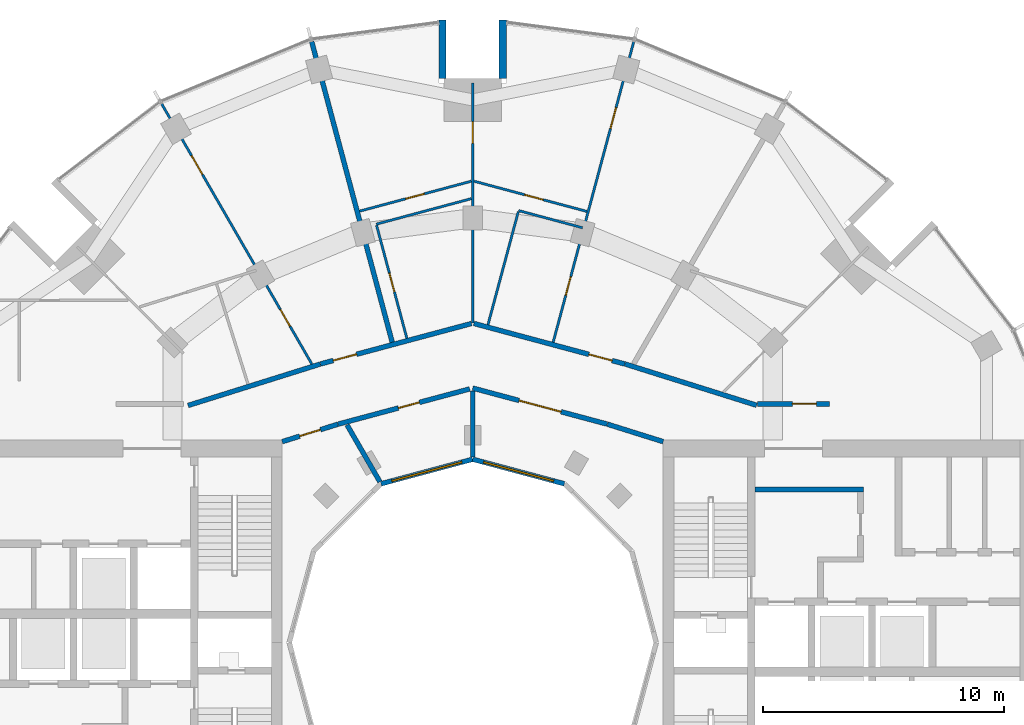
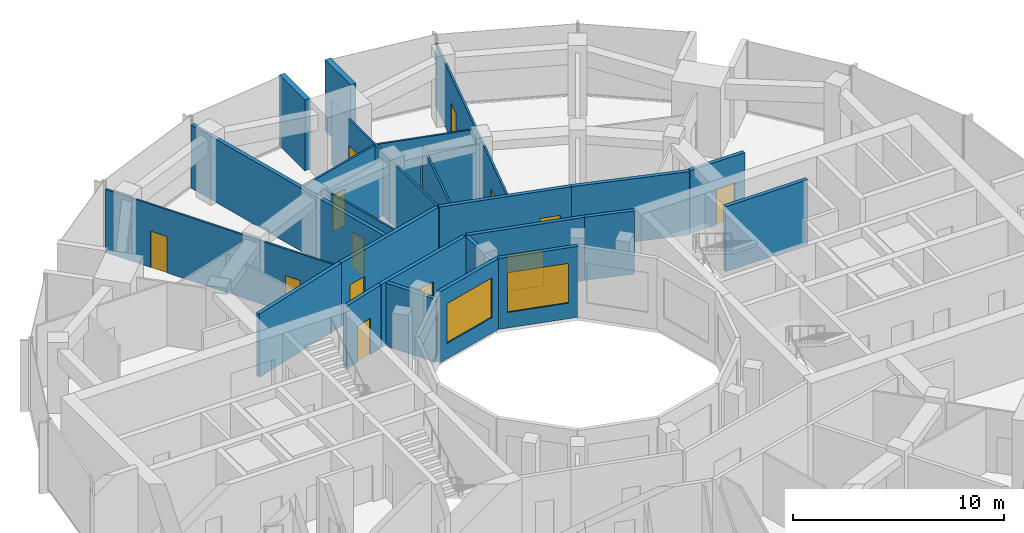
# One storey, part 12 of 15: 26 walls, 14 doors, 2 windows, 16 openings.
"""IFC4 building model written with IfcOpenShell, lengths in metres."""

import ifcopenshell
import ifcopenshell.guid

model = None  # the IFC model being written
_history = None  # IfcOwnerHistory: only IFC2X3 demands one
_inside = {}  # id of a spatial element -> (the spatial element, [elements in it])
_under = {}  # id of a project, library or spatial element -> (it, [spatial elements below it])
_declared = {}  # id of a project -> (the project, [libraries it declares])
_typed = {}  # id of a type object -> (the type object, [elements of that type])
_made_of = {}  # id of a material, layer set ... -> (it, [elements and type objects made of it])


def new_model(schema):
    """Start an empty IFC model of exactly this schema.

    Asked for "IFC4X3", IfcOpenShell would pick the latest addendum, in which some entities
    have other attributes; the version numbers below select the first issue.
    IFC2X3 requires an IfcOwnerHistory on every rooted entity: one is made here for all.
    """
    global model, _history
    if schema == "IFC4X3":
        model = ifcopenshell.file(schema_version=(4, 3, 0, 0))
    else:
        model = ifcopenshell.file(schema=schema)
    _inside.clear()
    _under.clear()
    _declared.clear()
    _typed.clear()
    _made_of.clear()
    _history = None
    if model.schema == "IFC2X3":
        org = make("IfcOrganization", Name="unknown")
        user = make(
            "IfcPersonAndOrganization",
            ThePerson=make("IfcPerson", FamilyName="unknown"),
            TheOrganization=org,
        )
        app = make(
            "IfcApplication",
            ApplicationDeveloper=org,
            Version="unknown",
            ApplicationFullName="unknown",
            ApplicationIdentifier="unknown",
        )
        _history = make(
            "IfcOwnerHistory",
            OwningUser=user,
            OwningApplication=app,
            ChangeAction="ADDED",
            CreationDate=0,
        )
    return model


def make(cls, **values):
    """One entity of the class cls with the attributes given. An attribute that is None is left unset."""
    return model.create_entity(
        cls, **{name: value for name, value in values.items() if value is not None}
    )


def rooted(cls, **values):
    """An entity with a GlobalId (a new one), such as an element, a storey or a relation."""
    return make(cls, GlobalId=ifcopenshell.guid.new(), OwnerHistory=_history, **values)


def si_unit(unit_type, name, prefix=None):
    """IfcSIUnit, for example si_unit("LENGTHUNIT", "METRE", prefix="MILLI")."""
    return make("IfcSIUnit", UnitType=unit_type, Prefix=prefix, Name=name)


def assignment(units):
    """IfcUnitAssignment: the units of a project."""
    return None if units is None else make("IfcUnitAssignment", Units=units)


def point(xyz):
    """IfcCartesianPoint."""
    return None if xyz is None else make("IfcCartesianPoint", Coordinates=xyz)


def direction(xyz):
    """IfcDirection."""
    return None if xyz is None else make("IfcDirection", DirectionRatios=xyz)


def frame(location, z_axis=None, x_axis=None):
    """IfcAxis2Placement3D, a coordinate frame: its origin and axes. An axis left out is left unset."""
    return make(
        "IfcAxis2Placement3D",
        Location=point(location),
        Axis=direction(z_axis),
        RefDirection=direction(x_axis),
    )


def frame_2d(location, x_axis=None):
    """IfcAxis2Placement2D, a coordinate frame in the plane: its origin and x axis."""
    return make(
        "IfcAxis2Placement2D", Location=point(location), RefDirection=direction(x_axis)
    )


def origin():
    """The frame at (0, 0, 0) with its axes left unset."""
    return frame((0.0, 0.0, 0.0))


def place(relative_to, where):
    """IfcLocalPlacement: puts the frame where relative to a parent placement (None: the world)."""
    return make(
        "IfcLocalPlacement", PlacementRelTo=relative_to, RelativePlacement=where
    )


def context(
    kind, dimensions, precision=None, world=None, true_north=None, identifier=None
):
    """IfcGeometricRepresentationContext, for example the 3D "Model" context."""
    return make(
        "IfcGeometricRepresentationContext",
        ContextIdentifier=identifier,
        ContextType=kind,
        CoordinateSpaceDimension=dimensions,
        Precision=precision,
        WorldCoordinateSystem=world,
        TrueNorth=true_north,
    )


def subcontext(parent, identifier, kind, view, scale=None):
    """IfcGeometricRepresentationSubContext, for example "Body" below "Model"."""
    return make(
        "IfcGeometricRepresentationSubContext",
        ContextIdentifier=identifier,
        ContextType=kind,
        ParentContext=parent,
        TargetScale=scale,
        TargetView=view,
    )


def project(units=None, contexts=None):
    """IfcProject with its units and contexts."""
    return rooted(
        "IfcProject",
        Name="project",
        RepresentationContexts=contexts,
        UnitsInContext=assignment(units),
    )


def spatial(cls, under=None, at=None, **own):
    """A site, building, storey or space (cls), placed at a placement, below another one or the project."""
    s = rooted(cls, ObjectPlacement=at, **own)
    if under is not None:
        _under.setdefault(under.id(), (under, []))[1].append(s)
    return s


def profile(cls, at=None, kind="AREA", **sizes):
    """A parametric profile (cls). Its sizes go by their IFC names, for example OverallWidth=200.0."""
    return make(cls, ProfileType=kind, Position=at, **sizes)


def rectangle(**sizes):
    """IfcRectangleProfileDef."""
    return profile("IfcRectangleProfileDef", **sizes)


def extrude(swept, where, along, depth):
    """IfcExtrudedAreaSolid: the profile swept, set in the frame where, extruded along a direction by depth."""
    return make(
        "IfcExtrudedAreaSolid",
        SweptArea=swept,
        Position=where,
        ExtrudedDirection=direction(along),
        Depth=depth,
    )


def shape(context_of_items, identifier, shape_type, items):
    """IfcShapeRepresentation: the items that make up one representation, for example the "Body"."""
    return make(
        "IfcShapeRepresentation",
        ContextOfItems=context_of_items,
        RepresentationIdentifier=identifier,
        RepresentationType=shape_type,
        Items=items,
    )


def material(Name=None, Category=None):
    """IfcMaterial."""
    return make("IfcMaterial", Name=Name, Category=Category)


def layer(
    of_material, thickness, ventilated=None, Name=None, Category=None, Priority=None
):
    """IfcMaterialLayer: one layer of a wall or slab, of a material (None: an air gap)."""
    return make(
        "IfcMaterialLayer",
        Material=of_material,
        LayerThickness=thickness,
        IsVentilated=ventilated,
        Name=Name,
        Category=Category,
        Priority=Priority,
    )


def layer_set(layers, Name=None):
    """IfcMaterialLayerSet."""
    return make("IfcMaterialLayerSet", MaterialLayers=layers, LayerSetName=Name)


def made_of(thing, what):
    """Note that an element or type object is made of a material, layer set ...; save() writes the relation."""
    if what is not None:
        _made_of.setdefault(what.id(), (what, []))[1].append(thing)
    return thing


def type_object(cls, material=None, **own):
    """A type object (cls), such as IfcWallType, which elements share."""
    return made_of(rooted(cls, **own), material)


def element(
    cls,
    number,
    at=None,
    inside=None,
    cuts=None,
    type_object=None,
    material=None,
    context=None,
    identifier="Body",
    shape_type=None,
    held_by="IfcProductDefinitionShape",
    body=None,
    shapes=None,
    **own,
):
    """One element of the class cls, such as IfcWall. Its Tag is "e" and its number.

    at: its placement. inside: the storey or other place that contains it. cuts: it is an
    opening in that element (IfcRelVoidsElement). A single representation is given by context,
    identifier, shape_type and body (its items); several are given by shapes. held_by: the class
    of the entity that holds the representations. save() writes the other relations.
    """
    e = rooted(cls, Tag="e%d" % number, ObjectPlacement=at, **own)
    if body is not None:
        shapes = [shape(context, identifier, shape_type, body)]
    if shapes is not None:
        e.Representation = make(held_by, Representations=shapes)
    if inside is not None:
        _inside.setdefault(inside.id(), (inside, []))[1].append(e)
    if cuts is not None:
        rooted(
            "IfcRelVoidsElement", RelatingBuildingElement=cuts, RelatedOpeningElement=e
        )
    if type_object is not None:
        _typed.setdefault(type_object.id(), (type_object, []))[1].append(e)
    return made_of(e, material)


def fill(opening, filler):
    """IfcRelFillsElement: the door or window that sits in an opening."""
    return rooted(
        "IfcRelFillsElement",
        RelatingOpeningElement=opening,
        RelatedBuildingElement=filler,
    )


def aggregate(whole, parts):
    """IfcRelAggregates: a whole, such as a stair, and the parts it consists of."""
    return rooted("IfcRelAggregates", RelatingObject=whole, RelatedObjects=parts)


def save(model, path):
    """Write the relations noted so far, then the file.

    IfcRelAggregates (storeys below a building ...), IfcRelContainedInSpatialStructure (elements
    in a storey), IfcRelDefinesByType, IfcRelAssociatesMaterial and IfcRelDeclares: one each for
    every whole, place, type object, material and project.
    """
    for whole, parts in _under.values():
        aggregate(whole, parts)
    for where, things in _inside.values():
        rooted(
            "IfcRelContainedInSpatialStructure",
            RelatedElements=things,
            RelatingStructure=where,
        )
    for kind, things in _typed.values():
        rooted("IfcRelDefinesByType", RelatedObjects=things, RelatingType=kind)
    for what, things in _made_of.values():
        rooted("IfcRelAssociatesMaterial", RelatedObjects=things, RelatingMaterial=what)
    for by, libraries in _declared.values():
        rooted("IfcRelDeclares", RelatingContext=by, RelatedDefinitions=libraries)
    model.write(path)


model = new_model("IFC4")

# Units and contexts
model_context = context("Model", 3, precision=1e-05, world=origin(), true_north=direction((0.0, 1.0)))
body_context = subcontext(model_context, "Body", "Model", "MODEL_VIEW")
ifc_project = project(units=[si_unit("LENGTHUNIT", "METRE"), si_unit("AREAUNIT", "SQUARE_METRE"), si_unit("VOLUMEUNIT", "CUBIC_METRE"), si_unit("PLANEANGLEUNIT", "RADIAN"), si_unit("MASSUNIT", "GRAM", prefix="KILO")], contexts=[model_context])

# Site, building, storey
site_placement = place(None, origin())
site = spatial("IfcSite", under=ifc_project, at=site_placement, CompositionType="ELEMENT")
building_placement = place(site_placement, origin())
building = spatial("IfcBuilding", under=site, at=building_placement, Name="Torre Brocal", CompositionType="ELEMENT")
storey_placement = place(building_placement, frame((0.0, 0.0, 202.800048828125)))
storey = spatial("IfcBuildingStorey", under=building, at=storey_placement, Name="L47", CompositionType="ELEMENT", Elevation=202.800048828125)

# Walls
ifc_material_1 = material(Name="Concrete C70", Category="concrete")
ifc_layer_1 = layer(ifc_material_1, 0.199951171875)
ifc_layer_set_1 = layer_set([ifc_layer_1], Name="Concrete C70")
wall_type_1 = type_object("IfcWallType", Name="CORE WALL 200 C70 UNDER 350 SLAB", PredefinedType="SHEAR", material=ifc_layer_set_1)
wall_1_placement = place(storey_placement, frame((91.699951171875, 81.35009765625, 0.0), z_axis=(0.0, 0.0, 1.0), x_axis=(1.0, 0.0, 0.0)))
element("IfcWall", 1, at=wall_1_placement, inside=storey, type_object=wall_type_1, Name="Wall CW200-70-S350", PredefinedType="SHEAR", context=body_context, shape_type="SweptSolid", body=[
    extrude(rectangle(XDim=4.5, YDim=0.199951171875, at=frame_2d((2.25, 0.0))), origin(), (0.0, 0.0, 1.0), 3.75),
])
ifc_material_2 = material(Name="Concrete C70", Category="concrete")
ifc_layer_2 = layer(ifc_material_2, 0.300048828125)
ifc_layer_set_2 = layer_set([ifc_layer_2], Name="Concrete C70")
wall_type_2 = type_object("IfcWallType", Name="NOTCH RETURN WALL 300 C70", PredefinedType="NOTDEFINED", material=ifc_layer_set_2)
for number, where, z_axis, x_axis, name in (
    (2, (81.25, 98.39990234375, 0.0), (0.0, 0.0, 1.0), (0.0, 1.0, 0.0), "NOTCH RETURN WALL"),
    (3, (78.75, 98.39990234375, 0.0), (0.0, 0.0, 1.0), (0.0, 1.0, 0.0), "NOTCH RETURN WALL"),
):
    element("IfcWall", number, at=place(storey_placement, frame(where, z_axis=z_axis, x_axis=x_axis)), inside=storey, type_object=wall_type_2, Name=name, PredefinedType="NOTDEFINED", context=body_context, shape_type="SweptSolid", body=[
        extrude(rectangle(XDim=2.415771484375, YDim=0.300048828125, at=frame_2d((1.2080078125, 0.0))), origin(), (0.0, 0.0, 1.0), 4.099853515625),
    ])

# Wall, openings, doors
ifc_material_3 = material(Name="Gypsum board", Category="Gypsum")
ifc_layer_3 = layer(ifc_material_3, 0.10009765625)
ifc_layer_set_3 = layer_set([ifc_layer_3], Name="Gypsum board")
wall_type_3 = type_object("IfcWallType", Name="PARTITION 100", PredefinedType="PARTITIONING", material=ifc_layer_set_3)
wall_2_placement = place(storey_placement, frame((67.101318359375, 97.341552734375, 0.0), z_axis=(0.0, 0.0, 1.0), x_axis=(0.499944152966, -0.866057644684, 0.0)))
wall_2 = element("IfcWall", 4, at=wall_2_placement, inside=storey, type_object=wall_type_3, Name="BATHROOM WALL", PredefinedType="PARTITIONING", context=body_context, shape_type="SweptSolid", body=[
    extrude(rectangle(XDim=12.4560546875, YDim=0.10009765625, at=frame_2d((6.22802734375, 0.0))), origin(), (0.0, 0.0, 1.0), 3.64990234375),
])
opening_1_placement = place(wall_2_placement, frame((2.486083984375, 0.0, 0.0)))
opening_1 = element("IfcOpeningElement", 5, at=opening_1_placement, cuts=wall_2, Name="Opening R04-D12", PredefinedType="OPENING", context=body_context, shape_type="SweptSolid", body=[
    extrude(rectangle(XDim=0.89990234375, YDim=2.10009765625, at=frame_2d((0.449951171875, 1.050048828125))), frame((0.0, 0.06005859375, 0.0), z_axis=(0.0, -1.0, 0.0), x_axis=(1.0, 0.0, 0.0)), (0.0, 0.0, 1.0), 0.1201171875),
])
opening_2_placement = place(wall_2_placement, frame((9.85009765625, 0.0, 0.0)))
opening_2 = element("IfcOpeningElement", 6, at=opening_2_placement, cuts=wall_2, Name="Opening R04-D14", PredefinedType="OPENING", context=body_context, shape_type="SweptSolid", body=[
    extrude(rectangle(XDim=0.800048828125, YDim=2.10009765625, at=frame_2d((0.39990234375, 1.050048828125))), frame((0.0, 0.06005859375, 0.0), z_axis=(0.0, -1.0, 0.0), x_axis=(1.0, 0.0, 0.0)), (0.0, 0.0, 1.0), 0.1201171875),
])
ifc_material_4 = material(Name="Timber", Category="wood")
door_type_1 = type_object("IfcDoorType", Name="BATHROOM DOOR 800X2100", OperationType="SINGLE_SWING_LEFT", PredefinedType="DOOR", material=ifc_material_4)
door_1_placement = place(opening_2_placement, frame((0.800048828125, 0.0, 0.0), z_axis=(0.0, 0.0, 1.0), x_axis=(-1.0, 0.0, 0.0)))
door_1 = element("IfcDoor", 7, at=door_1_placement, inside=storey, type_object=door_type_1, Name="R04-D14", OperationType="SINGLE_SWING_LEFT", OverallHeight=2.10009765625, OverallWidth=0.800048828125, PredefinedType="DOOR", context=body_context, shape_type="SweptSolid", body=[
    extrude(rectangle(XDim=0.800048828125, YDim=2.10009765625, at=frame_2d((0.39990234375, 1.050048828125))), frame((0.0, 0.02490234375, 0.0), z_axis=(0.0, -1.0, 0.0), x_axis=(1.0, 0.0, 0.0)), (0.0, 0.0, 1.0), 0.050048828125),
])
fill(opening_2, door_1)
ifc_material_5 = material(Name="Timber", Category="wood")
door_type_2 = type_object("IfcDoorType", Name="ROOM DOOR 900X2100", OperationType="SINGLE_SWING_LEFT", PredefinedType="DOOR", material=ifc_material_5)
door_2_placement = place(opening_1_placement, origin())
door_2 = element("IfcDoor", 8, at=door_2_placement, inside=storey, type_object=door_type_2, Name="R04-D12", OperationType="SINGLE_SWING_LEFT", OverallHeight=2.10009765625, OverallWidth=0.89990234375, PredefinedType="DOOR", context=body_context, shape_type="SweptSolid", body=[
    extrude(rectangle(XDim=0.89990234375, YDim=2.10009765625, at=frame_2d((0.449951171875, 1.050048828125))), frame((0.0, 0.02490234375, 0.0), z_axis=(0.0, -1.0, 0.0), x_axis=(1.0, 0.0, 0.0)), (0.0, 0.0, 1.0), 0.050048828125),
])
fill(opening_1, door_2)

# Wall, opening, door
wall_3_placement = place(storey_placement, frame((75.310546875, 92.889892578125, 0.0), z_axis=(0.0, 0.0, 1.0), x_axis=(0.965887579691, 0.258961741187, 0.0)))
wall_3 = element("IfcWall", 9, at=wall_3_placement, inside=storey, type_object=wall_type_3, Name="BATHROOM WALL", PredefinedType="PARTITIONING", context=body_context, shape_type="SweptSolid", body=[
    extrude(rectangle(XDim=4.794921875, YDim=0.10009765625, at=frame_2d((2.3974609375, 0.0))), origin(), (0.0, 0.0, 1.0), 3.64990234375),
])
opening_3_placement = place(wall_3_placement, frame((1.9775390625, 0.0, 0.0)))
opening_3 = element("IfcOpeningElement", 10, at=opening_3_placement, cuts=wall_3, Name="Opening R04-D10", PredefinedType="OPENING", context=body_context, shape_type="SweptSolid", body=[
    extrude(rectangle(XDim=0.800048828125, YDim=2.10009765625, at=frame_2d((0.39990234375, 1.050048828125))), frame((0.0, 0.06005859375, 0.0), z_axis=(0.0, -1.0, 0.0), x_axis=(1.0, 0.0, 0.0)), (0.0, 0.0, 1.0), 0.1201171875),
])
door_3_placement = place(opening_3_placement, origin())
door_3 = element("IfcDoor", 11, at=door_3_placement, inside=storey, type_object=door_type_1, Name="R04-D10", OperationType="SINGLE_SWING_LEFT", OverallHeight=2.10009765625, OverallWidth=0.800048828125, PredefinedType="DOOR", context=body_context, shape_type="SweptSolid", body=[
    extrude(rectangle(XDim=0.800048828125, YDim=2.10009765625, at=frame_2d((0.39990234375, 1.050048828125))), frame((0.0, 0.02490234375, 0.0), z_axis=(0.0, -1.0, 0.0), x_axis=(1.0, 0.0, 0.0)), (0.0, 0.0, 1.0), 0.050048828125),
])
fill(opening_3, door_3)

wall_4_placement = place(storey_placement, frame((76.012939453125, 92.3017578125, 0.0), z_axis=(0.0, 0.0, 1.0), x_axis=(0.259213325924, -0.965820092804, 0.0)))
wall_4 = element("IfcWall", 12, at=wall_4_placement, inside=storey, type_object=wall_type_3, Name="BATHROOM WALL", PredefinedType="PARTITIONING", context=body_context, shape_type="SweptSolid", body=[
    extrude(rectangle(XDim=4.849609375, YDim=0.10009765625, at=frame_2d((2.4248046875, 0.0))), origin(), (0.0, 0.0, 1.0), 3.64990234375),
])
opening_4_placement = place(wall_4_placement, frame((2.0498046875, 0.0, 0.0)))
opening_4 = element("IfcOpeningElement", 13, at=opening_4_placement, cuts=wall_4, Name="Opening R04-D09", PredefinedType="OPENING", context=body_context, shape_type="SweptSolid", body=[
    extrude(rectangle(XDim=0.800048828125, YDim=2.10009765625, at=frame_2d((0.39990234375, 1.050048828125))), frame((0.0, 0.06005859375, 0.0), z_axis=(0.0, -1.0, 0.0), x_axis=(1.0, 0.0, 0.0)), (0.0, 0.0, 1.0), 0.1201171875),
])
door_4_placement = place(opening_4_placement, origin())
door_4 = element("IfcDoor", 14, at=door_4_placement, inside=storey, type_object=door_type_1, Name="R04-D09", OperationType="SINGLE_SWING_LEFT", OverallHeight=2.10009765625, OverallWidth=0.800048828125, PredefinedType="DOOR", context=body_context, shape_type="SweptSolid", body=[
    extrude(rectangle(XDim=0.800048828125, YDim=2.10009765625, at=frame_2d((0.39990234375, 1.050048828125))), frame((0.0, 0.02490234375, 0.0), z_axis=(0.0, -1.0, 0.0), x_axis=(1.0, 0.0, 0.0)), (0.0, 0.0, 1.0), 0.050048828125),
])
fill(opening_4, door_4)

wall_5_placement = place(storey_placement, frame((80.0, 88.24609375, 0.0), z_axis=(0.0, 0.0, 1.0), x_axis=(0.0, 1.0, 0.0)))
wall_5 = element("IfcWall", 15, at=wall_5_placement, inside=storey, type_object=wall_type_3, Name="BATHROOM WALL", PredefinedType="PARTITIONING", context=body_context, shape_type="SweptSolid", body=[
    extrude(rectangle(XDim=9.953857421875, YDim=0.10009765625, at=frame_2d((4.97705078125, 0.0))), origin(), (0.0, 0.0, 1.0), 3.64990234375),
])
opening_5_placement = place(wall_5_placement, frame((7.452392578125, 0.0, 0.0)))
opening_5 = element("IfcOpeningElement", 16, at=opening_5_placement, cuts=wall_5, Name="Opening R04-D08", PredefinedType="OPENING", context=body_context, shape_type="SweptSolid", body=[
    extrude(rectangle(XDim=0.89990234375, YDim=2.10009765625, at=frame_2d((0.449951171875, 1.050048828125))), frame((0.0, 0.06005859375, 0.0), z_axis=(0.0, -1.0, 0.0), x_axis=(1.0, 0.0, 0.0)), (0.0, 0.0, 1.0), 0.1201171875),
])
door_5_placement = place(opening_5_placement, origin())
door_5 = element("IfcDoor", 17, at=door_5_placement, inside=storey, type_object=door_type_2, Name="R04-D08", OperationType="SINGLE_SWING_RIGHT", OverallHeight=2.10009765625, OverallWidth=0.89990234375, PredefinedType="DOOR", context=body_context, shape_type="SweptSolid", body=[
    extrude(rectangle(XDim=0.89990234375, YDim=2.10009765625, at=frame_2d((0.449951171875, 1.050048828125))), frame((0.0, 0.02490234375, 0.0), z_axis=(0.0, -1.0, 0.0), x_axis=(1.0, 0.0, 0.0)), (0.0, 0.0, 1.0), 0.050048828125),
])
fill(opening_5, door_5)

wall_6_placement = place(storey_placement, frame((80.05810546875, 94.131591796875, 0.0), z_axis=(0.0, 0.0, 1.0), x_axis=(0.96588865472, -0.258957731459, 0.0)))
wall_6 = element("IfcWall", 18, at=wall_6_placement, inside=storey, type_object=wall_type_3, Name="BATHROOM WALL", PredefinedType="PARTITIONING", context=body_context, shape_type="SweptSolid", body=[
    extrude(rectangle(XDim=4.844970703125, YDim=0.10009765625, at=frame_2d((2.42236328125, 0.0))), origin(), (0.0, 0.0, 1.0), 3.64990234375),
])
opening_6_placement = place(wall_6_placement, frame((2.16748046875, 0.0, 0.0)))
opening_6 = element("IfcOpeningElement", 19, at=opening_6_placement, cuts=wall_6, Name="Opening R04-D06", PredefinedType="OPENING", context=body_context, shape_type="SweptSolid", body=[
    extrude(rectangle(XDim=0.800048828125, YDim=2.10009765625, at=frame_2d((0.39990234375, 1.050048828125))), frame((0.0, 0.06005859375, 0.0), z_axis=(0.0, -1.0, 0.0), x_axis=(1.0, 0.0, 0.0)), (0.0, 0.0, 1.0), 0.1201171875),
])
door_6_placement = place(opening_6_placement, frame((0.800048828125, 0.0, 0.0), z_axis=(0.0, 0.0, 1.0), x_axis=(-1.0, 0.0, 0.0)))
door_6 = element("IfcDoor", 20, at=door_6_placement, inside=storey, type_object=door_type_1, Name="R04-D06", OperationType="SINGLE_SWING_LEFT", OverallHeight=2.10009765625, OverallWidth=0.800048828125, PredefinedType="DOOR", context=body_context, shape_type="SweptSolid", body=[
    extrude(rectangle(XDim=0.800048828125, YDim=2.10009765625, at=frame_2d((0.39990234375, 1.050048828125))), frame((0.0, 0.02490234375, 0.0), z_axis=(0.0, -1.0, 0.0), x_axis=(1.0, 0.0, 0.0)), (0.0, 0.0, 1.0), 0.050048828125),
])
fill(opening_6, door_6)

# Wall
wall_7_placement = place(storey_placement, frame((80.633056640625, 88.179931640625, 0.0), z_axis=(0.0, 0.0, 1.0), x_axis=(0.258975098822, 0.965883998309, 0.0)))
element("IfcWall", 21, at=wall_7_placement, inside=storey, type_object=wall_type_3, Name="BATHROOM WALL", PredefinedType="PARTITIONING", context=body_context, shape_type="SweptSolid", body=[
    extrude(rectangle(XDim=4.850341796875, YDim=0.10009765625, at=frame_2d((2.42529296875, 0.0))), origin(), (0.0, 0.0, 1.0), 3.64990234375),
])

# Wall, openings, doors
wall_8_placement = place(storey_placement, frame((83.336669921875, 87.455078125, 0.0), z_axis=(0.0, 0.0, 1.0), x_axis=(0.258878883978, 0.965909790524, 0.0)))
wall_8 = element("IfcWall", 22, at=wall_8_placement, inside=storey, type_object=wall_type_3, Name="BATHROOM WALL", PredefinedType="PARTITIONING", context=body_context, shape_type="SweptSolid", body=[
    extrude(rectangle(XDim=12.904052734375, YDim=0.10009765625, at=frame_2d((6.4521484375, 0.0))), origin(), (0.0, 0.0, 1.0), 3.64990234375),
])
opening_7_placement = place(wall_8_placement, frame((9.176513671875, 0.0, 0.0)))
opening_7 = element("IfcOpeningElement", 23, at=opening_7_placement, cuts=wall_8, Name="Opening R04-D05", PredefinedType="OPENING", context=body_context, shape_type="SweptSolid", body=[
    extrude(rectangle(XDim=0.89990234375, YDim=2.10009765625, at=frame_2d((0.449951171875, 1.050048828125))), frame((0.0, 0.06005859375, 0.0), z_axis=(0.0, -1.0, 0.0), x_axis=(1.0, 0.0, 0.0)), (0.0, 0.0, 1.0), 0.1201171875),
])
opening_8_placement = place(wall_8_placement, frame((2.009521484375, 0.0, 0.0)))
opening_8 = element("IfcOpeningElement", 24, at=opening_8_placement, cuts=wall_8, Name="Opening R04-D07", PredefinedType="OPENING", context=body_context, shape_type="SweptSolid", body=[
    extrude(rectangle(XDim=0.800048828125, YDim=2.10009765625, at=frame_2d((0.39990234375, 1.050048828125))), frame((0.0, 0.06005859375, 0.0), z_axis=(0.0, -1.0, 0.0), x_axis=(1.0, 0.0, 0.0)), (0.0, 0.0, 1.0), 0.1201171875),
])
door_7_placement = place(opening_8_placement, origin())
door_7 = element("IfcDoor", 25, at=door_7_placement, inside=storey, type_object=door_type_1, Name="R04-D07", OperationType="SINGLE_SWING_RIGHT", OverallHeight=2.10009765625, OverallWidth=0.800048828125, PredefinedType="DOOR", context=body_context, shape_type="SweptSolid", body=[
    extrude(rectangle(XDim=0.800048828125, YDim=2.10009765625, at=frame_2d((0.39990234375, 1.050048828125))), frame((0.0, 0.02490234375, 0.0), z_axis=(0.0, -1.0, 0.0), x_axis=(1.0, 0.0, 0.0)), (0.0, 0.0, 1.0), 0.050048828125),
])
fill(opening_8, door_7)
door_8_placement = place(opening_7_placement, frame((0.89990234375, 0.0, 0.0), z_axis=(0.0, 0.0, 1.0), x_axis=(-1.0, 0.0, 0.0)))
door_8 = element("IfcDoor", 26, at=door_8_placement, inside=storey, type_object=door_type_2, Name="R04-D05", OperationType="SINGLE_SWING_LEFT", OverallHeight=2.10009765625, OverallWidth=0.89990234375, PredefinedType="DOOR", context=body_context, shape_type="SweptSolid", body=[
    extrude(rectangle(XDim=0.89990234375, YDim=2.10009765625, at=frame_2d((0.449951171875, 1.050048828125))), frame((0.0, 0.02490234375, 0.0), z_axis=(0.0, -1.0, 0.0), x_axis=(1.0, 0.0, 0.0)), (0.0, 0.0, 1.0), 0.050048828125),
])
fill(opening_7, door_8)

# Walls
ifc_material_6 = material(Name="Gypsum board", Category="Gypsum")
ifc_layer_4 = layer(ifc_material_6, 0.10009765625)
ifc_layer_set_4 = layer_set([ifc_layer_4], Name="Gypsum board")
wall_type_4 = type_object("IfcWallType", Name="PARTITION 100 UNDER BEAM 850", PredefinedType="PARTITIONING", material=ifc_layer_set_4)
wall_9_placement = place(storey_placement, frame((76.0, 92.35009765625, 0.0), z_axis=(0.0, 0.0, 1.0), x_axis=(0.965855616718, 0.259080928775, 0.0)))
element("IfcWall", 27, at=wall_9_placement, inside=storey, type_object=wall_type_4, Name="BATHROOM WALL", PredefinedType="PARTITIONING", context=body_context, shape_type="SweptSolid", body=[
    extrude(rectangle(XDim=4.081298828125, YDim=0.10009765625, at=frame_2d((2.04052734375, 0.0))), origin(), (0.0, 0.0, 1.0), 3.25),
])
wall_10_placement = place(storey_placement, frame((81.902099609375, 92.9130859375, 0.0), z_axis=(0.0, 0.0, 1.0), x_axis=(0.965846090635, -0.259116439472, 0.0)))
element("IfcWall", 28, at=wall_10_placement, inside=storey, type_object=wall_type_4, Name="BATHROOM WALL", PredefinedType="PARTITIONING", context=body_context, shape_type="SweptSolid", body=[
    extrude(rectangle(XDim=2.748291015625, YDim=0.10009765625, at=frame_2d((1.3740234375, 0.0))), origin(), (0.0, 0.0, 1.0), 3.25),
])
ifc_material_7 = material(Name="Gypsum board", Category="Gypsum")
ifc_layer_5 = layer(ifc_material_7, 0.199951171875)
ifc_layer_set_5 = layer_set([ifc_layer_5], Name="Gypsum board")
wall_type_5 = type_object("IfcWallType", Name="PARTITION 200 EI60", PredefinedType="PARTITIONING", material=ifc_layer_set_5)
wall_11_placement = place(storey_placement, frame((68.19970703125, 84.833984375, 0.0), z_axis=(0.0, 0.0, 1.0), x_axis=(0.954272398161, 0.298938438661, 0.0)))
element("IfcWall", 29, at=wall_11_placement, inside=storey, type_object=wall_type_5, Name="FLAT ENTRANCE WALL", PredefinedType="PARTITIONING", context=body_context, shape_type="SweptSolid", body=[
    extrude(rectangle(XDim=5.740478515625, YDim=0.199951171875, at=frame_2d((2.8701171875, 0.0))), origin(), (0.0, 0.0, 1.0), 3.64990234375),
])

# Wall, opening, door
wall_12_placement = place(storey_placement, frame((72.10009765625, 83.33203125, 0.0), z_axis=(0.0, 0.0, 1.0), x_axis=(0.954233106619, 0.299063836383, 0.0)))
wall_12 = element("IfcWall", 30, at=wall_12_placement, inside=storey, type_object=wall_type_5, Name="CORRIDOR WALL", PredefinedType="PARTITIONING", context=body_context, shape_type="SweptSolid", body=[
    extrude(rectangle(XDim=2.4140625, YDim=0.199951171875, at=frame_2d((1.20703125, 0.0))), origin(), (0.0, 0.0, 1.0), 3.64990234375),
])
opening_9_placement = place(wall_12_placement, frame((0.761962890625, 0.0, 0.0)))
opening_9 = element("IfcOpeningElement", 31, at=opening_9_placement, cuts=wall_12, Name="Opening R04-D20", PredefinedType="OPENING", context=body_context, shape_type="SweptSolid", body=[
    extrude(rectangle(XDim=0.89990234375, YDim=2.10009765625, at=frame_2d((0.449951171875, 1.050048828125))), frame((0.0, 0.10986328125, 0.0), z_axis=(0.0, -1.0, 0.0), x_axis=(1.0, 0.0, 0.0)), (0.0, 0.0, 1.0), 0.219970703125),
])
door_9_placement = place(opening_9_placement, frame((0.89990234375, 0.0, 0.0), z_axis=(0.0, 0.0, 1.0), x_axis=(-1.0, 0.0, 0.0)))
door_9 = element("IfcDoor", 32, at=door_9_placement, inside=storey, type_object=door_type_2, Name="R04-D20", OperationType="SINGLE_SWING_RIGHT", OverallHeight=2.10009765625, OverallWidth=0.89990234375, PredefinedType="DOOR", context=body_context, shape_type="SweptSolid", body=[
    extrude(rectangle(XDim=0.89990234375, YDim=2.10009765625, at=frame_2d((0.449951171875, 1.050048828125))), frame((0.0, 0.02490234375, 0.0), z_axis=(0.0, -1.0, 0.0), x_axis=(1.0, 0.0, 0.0)), (0.0, 0.0, 1.0), 0.050048828125),
])
fill(opening_9, door_9)

# Wall
wall_13_placement = place(storey_placement, frame((73.323486328125, 99.91943359375, 0.0), z_axis=(0.0, 0.0, 1.0), x_axis=(0.258768239436, -0.965939438194, 0.0)))
element("IfcWall", 33, at=wall_13_placement, inside=storey, type_object=wall_type_5, Name="BATHROOM WALL", PredefinedType="PARTITIONING", context=body_context, shape_type="SweptSolid", body=[
    extrude(rectangle(XDim=12.90380859375, YDim=0.199951171875, at=frame_2d((6.451904296875, 0.0))), origin(), (0.0, 0.0, 1.0), 3.64990234375),
])

# Wall, opening, door
wall_14_placement = place(storey_placement, frame((73.68701171875, 86.55419921875, 0.0), z_axis=(0.0, 0.0, 1.0), x_axis=(0.96595258731, 0.258719150952, 0.0)))
wall_14 = element("IfcWall", 34, at=wall_14_placement, inside=storey, type_object=wall_type_5, Name="FLAT ENTRANCE WALL", PredefinedType="PARTITIONING", context=body_context, shape_type="SweptSolid", body=[
    extrude(rectangle(XDim=6.485595703125, YDim=0.199951171875, at=frame_2d((3.24267578125, 0.0))), origin(), (0.0, 0.0, 1.0), 3.64990234375),
])
opening_10_placement = place(wall_14_placement, frame((0.550048828125, 0.0, 0.0)))
opening_10 = element("IfcOpeningElement", 35, at=opening_10_placement, cuts=wall_14, Name="Opening R04-D11", PredefinedType="OPENING", context=body_context, shape_type="SweptSolid", body=[
    extrude(rectangle(XDim=1.0, YDim=2.10009765625, at=frame_2d((0.5, 1.050048828125))), frame((0.0, 0.10986328125, 0.0), z_axis=(0.0, -1.0, 0.0), x_axis=(1.0, 0.0, 0.0)), (0.0, 0.0, 1.0), 0.219970703125),
])
ifc_material_8 = material(Name="Timber", Category="wood")
door_type_3 = type_object("IfcDoorType", Name="FLAT ENTRY DOOR FD30S 1000X2100", OperationType="SINGLE_SWING_RIGHT", PredefinedType="DOOR", material=ifc_material_8)
door_10_placement = place(opening_10_placement, origin())
door_10 = element("IfcDoor", 36, at=door_10_placement, inside=storey, type_object=door_type_3, Name="R04-D11", OperationType="SINGLE_SWING_LEFT", OverallHeight=2.10009765625, OverallWidth=1.0, PredefinedType="DOOR", context=body_context, shape_type="SweptSolid", body=[
    extrude(rectangle(XDim=1.0, YDim=2.10009765625, at=frame_2d((0.5, 1.050048828125))), frame((0.0, 0.02490234375, 0.0), z_axis=(0.0, -1.0, 0.0), x_axis=(1.0, 0.0, 0.0)), (0.0, 0.0, 1.0), 0.050048828125),
])
fill(opening_10, door_10)

wall_15_placement = place(storey_placement, frame((74.4130859375, 84.056884765625, 0.0), z_axis=(0.0, 0.0, 1.0), x_axis=(0.965972135939, 0.258646153246, 0.0)))
wall_15 = element("IfcWall", 37, at=wall_15_placement, inside=storey, type_object=wall_type_5, Name="CORRIDOR WALL", PredefinedType="PARTITIONING", context=body_context, shape_type="SweptSolid", body=[
    extrude(rectangle(XDim=5.654052734375, YDim=0.199951171875, at=frame_2d((2.8271484375, 0.0))), origin(), (0.0, 0.0, 1.0), 3.64990234375),
])
opening_11_placement = place(wall_15_placement, frame((2.5927734375, 0.0, 0.0)))
opening_11 = element("IfcOpeningElement", 38, at=opening_11_placement, cuts=wall_15, Name="Opening R04-D19", PredefinedType="OPENING", context=body_context, shape_type="SweptSolid", body=[
    extrude(rectangle(XDim=0.89990234375, YDim=2.10009765625, at=frame_2d((0.449951171875, 1.050048828125))), frame((0.0, 0.10986328125, 0.0), z_axis=(0.0, -1.0, 0.0), x_axis=(1.0, 0.0, 0.0)), (0.0, 0.0, 1.0), 0.219970703125),
])
door_11_placement = place(opening_11_placement, frame((0.89990234375, 0.0, 0.0), z_axis=(0.0, 0.0, 1.0), x_axis=(-1.0, 0.0, 0.0)))
door_11 = element("IfcDoor", 39, at=door_11_placement, inside=storey, type_object=door_type_2, Name="R04-D19", OperationType="SINGLE_SWING_RIGHT", OverallHeight=2.10009765625, OverallWidth=0.89990234375, PredefinedType="DOOR", context=body_context, shape_type="SweptSolid", body=[
    extrude(rectangle(XDim=0.89990234375, YDim=2.10009765625, at=frame_2d((0.449951171875, 1.050048828125))), frame((0.0, 0.02490234375, 0.0), z_axis=(0.0, -1.0, 0.0), x_axis=(1.0, 0.0, 0.0)), (0.0, 0.0, 1.0), 0.050048828125),
])
fill(opening_11, door_11)

# Walls
wall_16_placement = place(storey_placement, frame((74.789306640625, 84.0283203125, 0.0), z_axis=(0.0, 0.0, 1.0), x_axis=(0.49993436518, -0.866063294749, 0.0)))
element("IfcWall", 40, at=wall_16_placement, inside=storey, type_object=wall_type_5, Name="PARTY PARTITION", PredefinedType="PARTITIONING", context=body_context, shape_type="SweptSolid", body=[
    extrude(rectangle(XDim=2.725830078125, YDim=0.199951171875, at=frame_2d((1.36279296875, 0.0))), origin(), (0.0, 0.0, 1.0), 3.64990234375),
])
wall_17_placement = place(storey_placement, frame((80.0, 82.699951171875, 0.0), z_axis=(0.0, 0.0, 1.0), x_axis=(0.0, 1.0, 0.0)))
element("IfcWall", 41, at=wall_17_placement, inside=storey, type_object=wall_type_5, Name="PARTY PARTITION", PredefinedType="PARTITIONING", context=body_context, shape_type="SweptSolid", body=[
    extrude(rectangle(XDim=2.72314453125, YDim=0.199951171875, at=frame_2d((1.361572265625, 0.0))), origin(), (0.0, 0.0, 1.0), 3.64990234375),
])

# Wall, opening, door
wall_18_placement = place(storey_placement, frame((80.04833984375, 88.2333984375, 0.0), z_axis=(0.0, 0.0, 1.0), x_axis=(0.965787353661, -0.259335280109, 0.0)))
wall_18 = element("IfcWall", 42, at=wall_18_placement, inside=storey, type_object=wall_type_5, Name="FLAT ENTRANCE WALL", PredefinedType="PARTITIONING", context=body_context, shape_type="SweptSolid", body=[
    extrude(rectangle(XDim=6.47607421875, YDim=0.199951171875, at=frame_2d((3.238037109375, 0.0))), origin(), (0.0, 0.0, 1.0), 3.64990234375),
])
opening_12_placement = place(wall_18_placement, frame((4.935791015625, 0.0, 0.0)))
opening_12 = element("IfcOpeningElement", 43, at=opening_12_placement, cuts=wall_18, Name="Opening R04-D04", PredefinedType="OPENING", context=body_context, shape_type="SweptSolid", body=[
    extrude(rectangle(XDim=1.0, YDim=2.10009765625, at=frame_2d((0.5, 1.050048828125))), frame((0.0, 0.10986328125, 0.0), z_axis=(0.0, -1.0, 0.0), x_axis=(1.0, 0.0, 0.0)), (0.0, 0.0, 1.0), 0.219970703125),
])
door_12_placement = place(opening_12_placement, origin())
door_12 = element("IfcDoor", 44, at=door_12_placement, inside=storey, type_object=door_type_3, Name="R04-D04", OperationType="SINGLE_SWING_RIGHT", OverallHeight=2.10009765625, OverallWidth=1.0, PredefinedType="DOOR", context=body_context, shape_type="SweptSolid", body=[
    extrude(rectangle(XDim=1.0, YDim=2.10009765625, at=frame_2d((0.5, 1.050048828125))), frame((0.0, 0.02490234375, 0.0), z_axis=(0.0, -1.0, 0.0), x_axis=(1.0, 0.0, 0.0)), (0.0, 0.0, 1.0), 0.050048828125),
])
fill(opening_12, door_12)

wall_19_placement = place(storey_placement, frame((80.0009765625, 85.553955078125, 0.0), z_axis=(0.0, 0.0, 1.0), x_axis=(0.965917658836, -0.258849524528, 0.0)))
wall_19 = element("IfcWall", 45, at=wall_19_placement, inside=storey, type_object=wall_type_5, Name="CORRIDOR WALL", PredefinedType="PARTITIONING", context=body_context, shape_type="SweptSolid", body=[
    extrude(rectangle(XDim=5.773193359375, YDim=0.199951171875, at=frame_2d((2.88671875, 0.0))), origin(), (0.0, 0.0, 1.0), 3.64990234375),
])
opening_13_placement = place(wall_19_placement, frame((1.9912109375, 0.0, 0.0)))
opening_13 = element("IfcOpeningElement", 46, at=opening_13_placement, cuts=wall_19, Name="Opening R04-D18", PredefinedType="OPENING", context=body_context, shape_type="SweptSolid", body=[
    extrude(rectangle(XDim=1.800048828125, YDim=2.10009765625, at=frame_2d((0.89990234375, 1.050048828125))), frame((0.0, 0.10986328125, 0.0), z_axis=(0.0, -1.0, 0.0), x_axis=(1.0, 0.0, 0.0)), (0.0, 0.0, 1.0), 0.219970703125),
])
ifc_material_9 = material(Name="Timber", Category="wood")
door_type_4 = type_object("IfcDoorType", Name="DOUBLE DOOR 1800X2100", OperationType="DOUBLE_DOOR_SINGLE_SWING", PredefinedType="DOOR", material=ifc_material_9)
door_13_placement = place(opening_13_placement, frame((1.800048828125, 0.0, 0.0), z_axis=(0.0, 0.0, 1.0), x_axis=(-1.0, 0.0, 0.0)))
door_13 = element("IfcDoor", 47, at=door_13_placement, inside=storey, type_object=door_type_4, Name="R04-D18", OperationType="DOUBLE_DOOR_SINGLE_SWING", OverallHeight=2.10009765625, OverallWidth=1.800048828125, PredefinedType="DOOR", context=body_context, shape_type="SweptSolid", body=[
    extrude(rectangle(XDim=1.800048828125, YDim=2.10009765625, at=frame_2d((0.89990234375, 1.050048828125))), frame((0.0, 0.02490234375, 0.0), z_axis=(0.0, -1.0, 0.0), x_axis=(1.0, 0.0, 0.0)), (0.0, 0.0, 1.0), 0.050048828125),
])
fill(opening_13, door_13)

# Walls
wall_20_placement = place(storey_placement, frame((85.5869140625, 84.056884765625, 0.0), z_axis=(0.0, 0.0, 1.0), x_axis=(0.954210767728, -0.299135104513, 0.0)))
element("IfcWall", 48, at=wall_20_placement, inside=storey, type_object=wall_type_5, Name="CORRIDOR WALL", PredefinedType="PARTITIONING", context=body_context, shape_type="SweptSolid", body=[
    extrude(rectangle(XDim=2.424072265625, YDim=0.199951171875, at=frame_2d((1.2119140625, 0.0))), origin(), (0.0, 0.0, 1.0), 3.64990234375),
])
wall_21_placement = place(storey_placement, frame((86.31298828125, 86.554443359375, 0.0), z_axis=(0.0, 0.0, 1.0), x_axis=(0.954081217458, -0.299548043717, 0.0)))
element("IfcWall", 49, at=wall_21_placement, inside=storey, type_object=wall_type_5, Name="FLAT ENTRANCE WALL", PredefinedType="PARTITIONING", context=body_context, shape_type="SweptSolid", body=[
    extrude(rectangle(XDim=5.720703125, YDim=0.199951171875, at=frame_2d((2.8603515625, 0.0))), origin(), (0.0, 0.0, 1.0), 3.64990234375),
])

# Wall, opening, door
wall_22_placement = place(storey_placement, frame((91.800048828125, 84.89990234375, 0.0), z_axis=(0.0, 0.0, 1.0), x_axis=(1.0, 0.0, 0.0)))
wall_22 = element("IfcWall", 50, at=wall_22_placement, inside=storey, type_object=wall_type_5, Name="FLAT ENTRANCE WALL", PredefinedType="PARTITIONING", context=body_context, shape_type="SweptSolid", body=[
    extrude(rectangle(XDim=3.0, YDim=0.199951171875, at=frame_2d((1.5, 0.0))), origin(), (0.0, 0.0, 1.0), 3.64990234375),
])
opening_14_placement = place(wall_22_placement, frame((1.449951171875, 0.0, 0.0)))
opening_14 = element("IfcOpeningElement", 51, at=opening_14_placement, cuts=wall_22, Name="Opening R04-D01", PredefinedType="OPENING", context=body_context, shape_type="SweptSolid", body=[
    extrude(rectangle(XDim=1.0, YDim=2.10009765625, at=frame_2d((0.5, 1.050048828125))), frame((0.0, 0.10986328125, 0.0), z_axis=(0.0, -1.0, 0.0), x_axis=(1.0, 0.0, 0.0)), (0.0, 0.0, 1.0), 0.219970703125),
])
door_14_placement = place(opening_14_placement, origin())
door_14 = element("IfcDoor", 52, at=door_14_placement, inside=storey, type_object=door_type_3, Name="R04-D01", OperationType="SINGLE_SWING_LEFT", OverallHeight=2.10009765625, OverallWidth=1.0, PredefinedType="DOOR", context=body_context, shape_type="SweptSolid", body=[
    extrude(rectangle(XDim=1.0, YDim=2.10009765625, at=frame_2d((0.5, 1.050048828125))), frame((0.0, 0.02490234375, 0.0), z_axis=(0.0, -1.0, 0.0), x_axis=(1.0, 0.0, 0.0)), (0.0, 0.0, 1.0), 0.050048828125),
])
fill(opening_14, door_14)

# Wall, opening, window
ifc_material_10 = material(Name="Concrete C40", Category="concrete")
ifc_layer_6 = layer(ifc_material_10, 0.199951171875)
ifc_layer_set_6 = layer_set([ifc_layer_6], Name="Concrete C40")
wall_type_6 = type_object("IfcWallType", Name="WELL FACADE WALL 200", PredefinedType="NOTDEFINED", material=ifc_layer_set_6)
wall_23_placement = place(storey_placement, frame((83.8017578125, 81.5849609375, 0.0), z_axis=(0.0, 0.0, 1.0), x_axis=(-0.965933654434, 0.258789828301, 0.0)))
wall_23 = element("IfcWall", 53, at=wall_23_placement, inside=storey, type_object=wall_type_6, Name="WELL FACADE WALL", PredefinedType="NOTDEFINED", context=body_context, shape_type="SweptSolid", body=[
    extrude(rectangle(XDim=3.935791015625, YDim=0.199951171875, at=frame_2d((1.9677734375, 0.0))), origin(), (0.0, 0.0, 1.0), 4.099853515625),
])
opening_15_placement = place(wall_23_placement, frame((0.468017578125, 0.0, 0.89990234375)))
opening_15 = element("IfcOpeningElement", 54, at=opening_15_placement, cuts=wall_23, Name="Opening W1", PredefinedType="OPENING", context=body_context, shape_type="SweptSolid", body=[
    extrude(rectangle(XDim=3.0, YDim=2.300048828125, at=frame_2d((1.5, 1.14990234375))), frame((0.0, 0.10986328125, 0.0), z_axis=(0.0, -1.0, 0.0), x_axis=(1.0, 0.0, 0.0)), (0.0, 0.0, 1.0), 0.219970703125),
])
ifc_material_11 = material(Name="Aluminium and glass", Category="aluminium")
window_type = type_object("IfcWindowType", Name="WELL WINDOW 3000X2300", PartitioningType="SINGLE_PANEL", PredefinedType="WINDOW", material=ifc_material_11)
window_1_placement = place(opening_15_placement, origin())
window_1 = element("IfcWindow", 55, at=window_1_placement, inside=storey, type_object=window_type, Name="WELL WINDOW 3000X2300", OverallHeight=2.300048828125, OverallWidth=3.0, PartitioningType="SINGLE_PANEL", PredefinedType="WINDOW", context=body_context, shape_type="SweptSolid", body=[
    extrude(rectangle(XDim=3.0, YDim=2.300048828125, at=frame_2d((1.5, 1.14990234375))), frame((0.0, 0.030029296875, 0.0), z_axis=(0.0, -1.0, 0.0), x_axis=(1.0, 0.0, 0.0)), (0.0, 0.0, 1.0), 0.06005859375),
])
fill(opening_15, window_1)

wall_24_placement = place(storey_placement, frame((80.0, 82.603515625, 0.0), z_axis=(0.0, 0.0, 1.0), x_axis=(-0.965933654434, -0.258789828301, 0.0)))
wall_24 = element("IfcWall", 56, at=wall_24_placement, inside=storey, type_object=wall_type_6, Name="WELL FACADE WALL", PredefinedType="NOTDEFINED", context=body_context, shape_type="SweptSolid", body=[
    extrude(rectangle(XDim=3.935791015625, YDim=0.199951171875, at=frame_2d((1.9677734375, 0.0))), origin(), (0.0, 0.0, 1.0), 4.099853515625),
])
opening_16_placement = place(wall_24_placement, frame((0.468017578125, 0.0, 0.89990234375)))
opening_16 = element("IfcOpeningElement", 57, at=opening_16_placement, cuts=wall_24, Name="Opening W1", PredefinedType="OPENING", context=body_context, shape_type="SweptSolid", body=[
    extrude(rectangle(XDim=3.0, YDim=2.300048828125, at=frame_2d((1.5, 1.14990234375))), frame((0.0, 0.10986328125, 0.0), z_axis=(0.0, -1.0, 0.0), x_axis=(1.0, 0.0, 0.0)), (0.0, 0.0, 1.0), 0.219970703125),
])
window_2_placement = place(opening_16_placement, origin())
window_2 = element("IfcWindow", 58, at=window_2_placement, inside=storey, type_object=window_type, Name="WELL WINDOW 3000X2300", OverallHeight=2.300048828125, OverallWidth=3.0, PartitioningType="SINGLE_PANEL", PredefinedType="WINDOW", context=body_context, shape_type="SweptSolid", body=[
    extrude(rectangle(XDim=3.0, YDim=2.300048828125, at=frame_2d((1.5, 1.14990234375))), frame((0.0, 0.030029296875, 0.0), z_axis=(0.0, -1.0, 0.0), x_axis=(1.0, 0.0, 0.0)), (0.0, 0.0, 1.0), 0.06005859375),
])
fill(opening_16, window_2)

save(model, "model.ifc")
